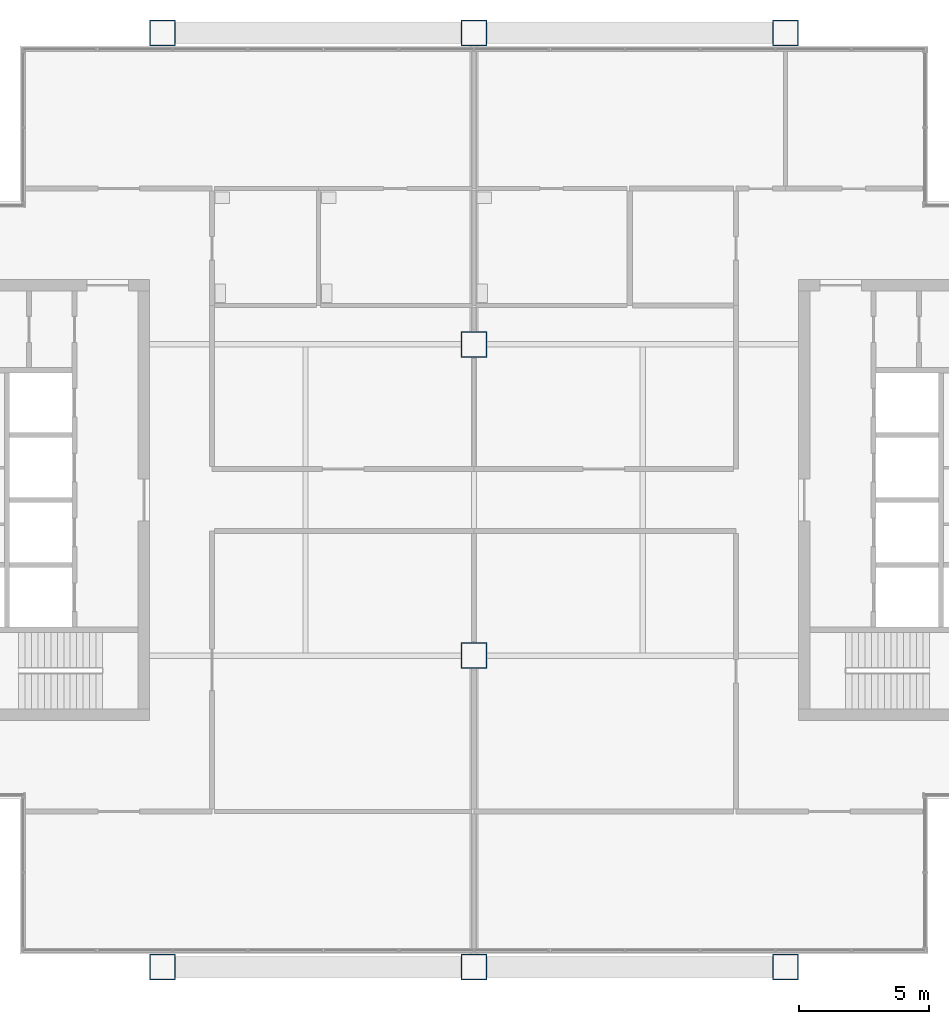
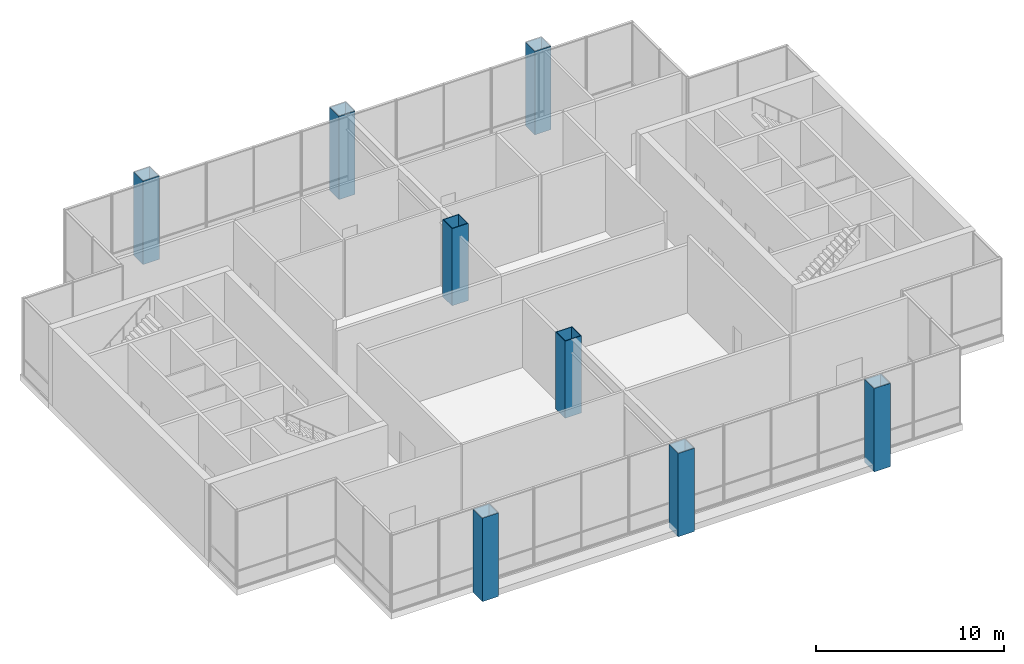
# One storey, part 1 of 15: 8 columns.
"""IFC4 building model written with IfcOpenShell, lengths in metres."""

from ifc_helpers import new_model, si_unit, direction, frame, origin, origin_2d, place, context, subcontext, project, spatial, hollow_rectangle, extrude, material, material_profile, profile_set, type_object, element, save


model = new_model("IFC4")

# Units and contexts
model_context = context("Model", 3, precision=1e-05, world=origin(), true_north=direction((0.0, 1.0)))
body_context = subcontext(model_context, "Body", "Model", "MODEL_VIEW")
ifc_project = project(units=[si_unit("LENGTHUNIT", "METRE"), si_unit("AREAUNIT", "SQUARE_METRE"), si_unit("VOLUMEUNIT", "CUBIC_METRE"), si_unit("PLANEANGLEUNIT", "RADIAN"), si_unit("MASSUNIT", "GRAM", prefix="KILO")], contexts=[model_context])

# Site, building, storey
site_placement = place(None, origin())
site = spatial("IfcSite", under=ifc_project, at=site_placement, CompositionType="ELEMENT")
building_placement = place(site_placement, origin())
building = spatial("IfcBuilding", under=site, at=building_placement, Name="Kitamizu Gate Tower and Museum", CompositionType="ELEMENT")
storey_placement = place(building_placement, frame((0.0, 0.0, 277.949951171875)))
storey = spatial("IfcBuildingStorey", under=building, at=storey_placement, Name="L75", CompositionType="ELEMENT", Elevation=277.949951171875)

# Columns
ifc_material_1 = material(Name="Steel SM490A bronze coated", Category="steel")
ifc_material_profile_1 = material_profile(ifc_material_1, hollow_rectangle(XDim=1.0, YDim=1.0, WallThickness=0.035888671875, at=origin_2d()), Name="BOX 1000x1000x36")
ifc_profile_set_1 = profile_set([ifc_material_profile_1], Name="Steel SM490A bronze coated")
column_type_1 = type_object("IfcColumnType", Name="Exoskeleton column XC9 BOX 1000x1000x36", PredefinedType="COLUMN", material=ifc_profile_set_1)
for number, where, z_axis, x_axis, name in (
    (1, (24.0, 12.0, -0.39990234375), (0.0, 0.0, 1.0), (1.0, 0.0, 0.0), "Column XC9 3B L75"),
    (2, (24.0, 48.0, -0.39990234375), (0.0, 0.0, 1.0), (1.0, 0.0, 0.0), "Column XC9 3E L75"),
    (3, (36.0, 12.0, -0.39990234375), (0.0, 0.0, 1.0), (1.0, 0.0, 0.0), "Column XC9 4B L75"),
    (4, (36.0, 48.0, -0.39990234375), (0.0, 0.0, 1.0), (1.0, 0.0, 0.0), "Column XC9 4E L75"),
    (5, (48.0, 12.0, -0.39990234375), (0.0, 0.0, 1.0), (1.0, 0.0, 0.0), "Column XC9 5B L75"),
    (6, (48.0, 48.0, -0.39990234375), (0.0, 0.0, 1.0), (1.0, 0.0, 0.0), "Column XC9 5E L75"),
):
    element("IfcColumn", number, at=place(storey_placement, frame(where, z_axis=z_axis, x_axis=x_axis)), inside=storey, type_object=column_type_1, Name=name, PredefinedType="COLUMN", context=body_context, shape_type="SweptSolid", body=[
        extrude(hollow_rectangle(XDim=1.0, YDim=1.0, WallThickness=0.035888671875, at=origin_2d()), origin(), (0.0, 0.0, 1.0), 5.39990234375),
    ])
ifc_material_2 = material(Name="Steel SM490A", Category="steel")
ifc_material_profile_2 = material_profile(ifc_material_2, hollow_rectangle(XDim=1.0, YDim=1.0, WallThickness=0.0400390625, at=origin_2d()), Name="BOX 1000x1000x40")
ifc_profile_set_2 = profile_set([ifc_material_profile_2], Name="Steel SM490A")
column_type_2 = type_object("IfcColumnType", Name="Interior column IC5 BOX 1000x1000x40", PredefinedType="COLUMN", material=ifc_profile_set_2)
for number, where, z_axis, x_axis, name in (
    (7, (36.0, 24.0, 0.0), (0.0, 0.0, 1.0), (1.0, 0.0, 0.0), "Column IC5 4C L75"),
    (8, (36.0, 36.0, 0.0), (0.0, 0.0, 1.0), (1.0, 0.0, 0.0), "Column IC5 4D L75"),
):
    element("IfcColumn", number, at=place(storey_placement, frame(where, z_axis=z_axis, x_axis=x_axis)), inside=storey, type_object=column_type_2, Name=name, PredefinedType="COLUMN", context=body_context, shape_type="SweptSolid", body=[
        extrude(hollow_rectangle(XDim=1.0, YDim=1.0, WallThickness=0.0400390625, at=origin_2d()), origin(), (0.0, 0.0, 1.0), 5.0),
    ])

save(model, "model.ifc")
